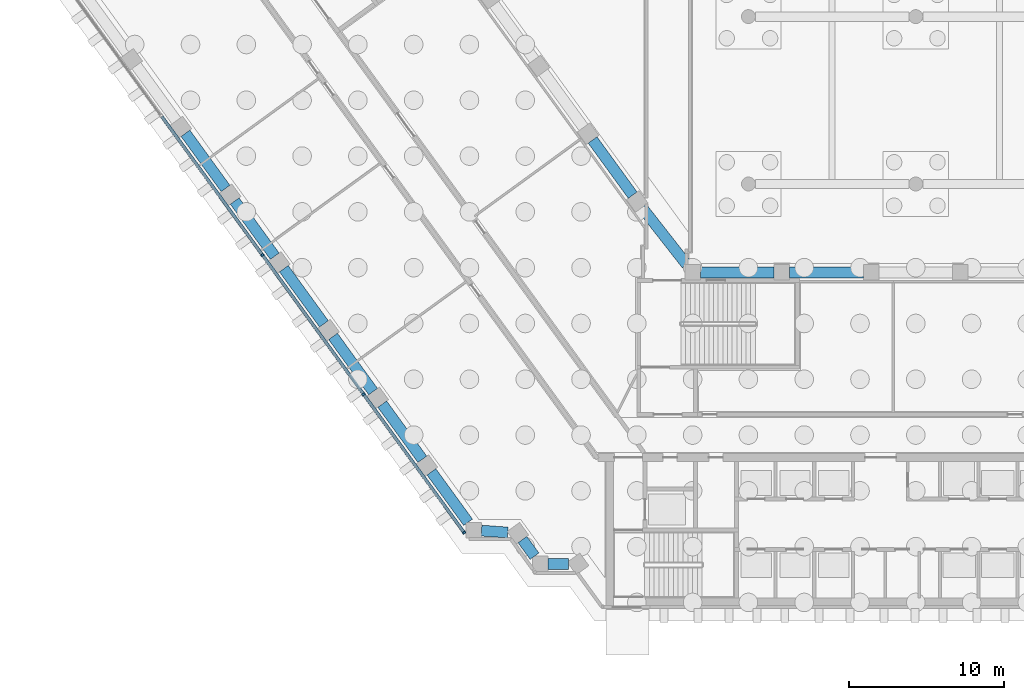
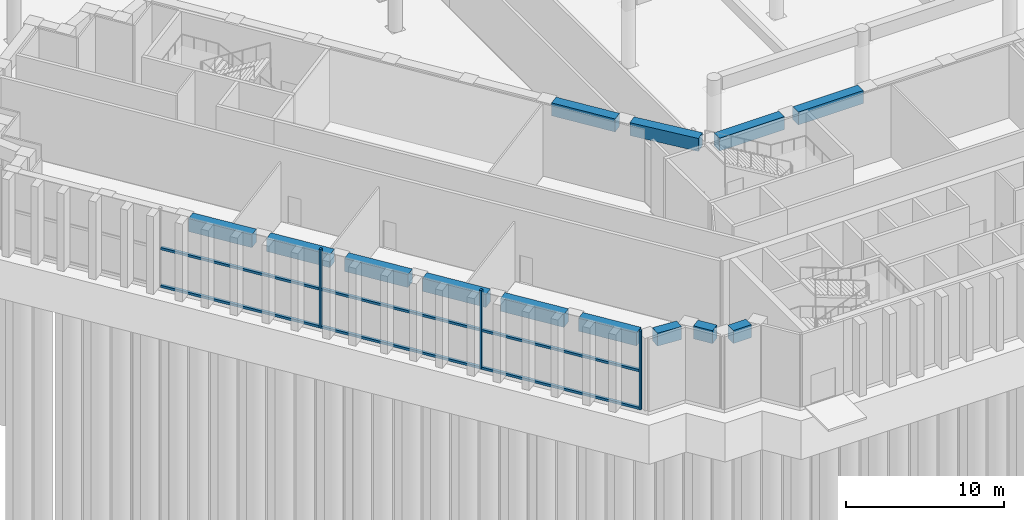
# One storey, part 4 of 32: 13 beams, 9 members, 1 element without a shape of its own.
"""IFC4 building model written with IfcOpenShell, lengths in metres."""

from ifc_helpers import new_model, si_unit, direction, frame, origin, origin_2d, place, context, subcontext, project, spatial, rectangle, extrude, material, material_profile, profile_set, type_object, element, aggregate, save


model = new_model("IFC4")

# Units and contexts
model_context = context("Model", 3, precision=1e-05, world=origin(), true_north=direction((0.0, 1.0)))
body_context = subcontext(model_context, "Body", "Model", "MODEL_VIEW")
ifc_project = project(units=[si_unit("LENGTHUNIT", "METRE"), si_unit("AREAUNIT", "SQUARE_METRE"), si_unit("VOLUMEUNIT", "CUBIC_METRE"), si_unit("PLANEANGLEUNIT", "RADIAN"), si_unit("MASSUNIT", "GRAM", prefix="KILO")], contexts=[model_context])

# Site, building, storey
site_placement = place(None, origin())
site = spatial("IfcSite", under=ifc_project, at=site_placement, CompositionType="ELEMENT")
building_placement = place(site_placement, origin())
building = spatial("IfcBuilding", under=site, at=building_placement, Name="Quipu Civic Tower", CompositionType="ELEMENT")
storey_placement = place(building_placement, origin())
storey = spatial("IfcBuildingStorey", under=building, at=storey_placement, Name="L00", CompositionType="ELEMENT", Elevation=0.0)

# Curtain wall, members
ifc_material_1 = material(Name="Insulated glass unit", Category="glass")
curtain_wall_type = type_object("IfcCurtainWallType", Name="Hall glazing CW2", PredefinedType="NOTDEFINED", material=ifc_material_1)
curtain_wall_placement = place(storey_placement, origin())
curtain_wall = element("IfcCurtainWall", 1, at=curtain_wall_placement, inside=storey, type_object=curtain_wall_type, Name="Hall glazing CW2 L00 run 35", PredefinedType="NOTDEFINED")
ifc_material_2 = material(Name="Anodised aluminium", Category="aluminium")
ifc_material_profile_1 = material_profile(ifc_material_2, rectangle(XDim=0.199951171875, YDim=0.139892578125, at=origin_2d()), Name="RECT 200x140")
ifc_profile_set_1 = profile_set([ifc_material_profile_1], Name="Anodised aluminium")
member_type_1 = type_object("IfcMemberType", Name="Mullion CW2", PredefinedType="MULLION", material=ifc_profile_set_1)
member_1_placement = place(storey_placement, frame((-42.162841796875, 11.619873046875, 0.0), z_axis=(0.0, 0.0, 1.0), x_axis=(0.809017581064, 0.587784444783, 0.0)))
member_1 = element("IfcMember", 2, at=member_1_placement, type_object=member_type_1, Name="CW2 mullion 3", PredefinedType="MULLION", context=body_context, shape_type="SweptSolid", body=[
    extrude(rectangle(XDim=0.199951171875, YDim=0.139892578125, at=origin_2d()), origin(), (0.0, 0.0, 1.0), 6.090087890625),
])
member_2_placement = place(storey_placement, frame((-35.63427734375, 2.63427734375, 0.0), z_axis=(0.0, 0.0, 1.0), x_axis=(0.809017581064, 0.587784444783, 0.0)))
member_2 = element("IfcMember", 3, at=member_2_placement, type_object=member_type_1, Name="CW2 mullion 4", PredefinedType="MULLION", context=body_context, shape_type="SweptSolid", body=[
    extrude(rectangle(XDim=0.199951171875, YDim=0.139892578125, at=origin_2d()), origin(), (0.0, 0.0, 1.0), 6.090087890625),
])
member_3_placement = place(storey_placement, frame((-29.14697265625, -6.294677734375, 0.0), z_axis=(0.0, 0.0, 1.0), x_axis=(0.809017581064, 0.587784444783, 0.0)))
member_3 = element("IfcMember", 4, at=member_3_placement, type_object=member_type_1, Name="CW2 mullion 5", PredefinedType="MULLION", context=body_context, shape_type="SweptSolid", body=[
    extrude(rectangle(XDim=0.199951171875, YDim=0.139892578125, at=origin_2d()), origin(), (0.0, 0.0, 1.0), 6.090087890625),
])

# Beams
ifc_material_3 = material(Name="Concrete C50/60", Category="concrete")
ifc_material_profile_2 = material_profile(ifc_material_3, rectangle(XDim=0.699951171875, YDim=1.0, at=origin_2d()), Name="RC700x1000")
ifc_profile_set_2 = profile_set([ifc_material_profile_2], Name="Concrete C50/60")
beam_type = type_object("IfcBeamType", Name="Spandrel beam RC 700x1000 C50/60", PredefinedType="SPANDREL", material=ifc_profile_set_2)
for number, where, z_axis, x_axis, name in (
    (5, (-18.267578125, 15.4794921875, 5.10009765625), (-0.587722908759, 0.809062285934, 0.0), (-0.809062285934, -0.587722908759, 0.0), "Spandrel beam L00 W-IN-01 to W-IN-02"),
    (6, (-47.12451171875, 19.47021484375, 5.10009765625), (0.587785613349, -0.809016732052, 0.0), (0.809016732052, 0.587785613349, 0.0), "Spandrel beam L00 W-OUT-06 to W-OUT-05"),
):
    element("IfcBeam", number, at=place(storey_placement, frame(where, z_axis=z_axis, x_axis=x_axis)), inside=storey, type_object=beam_type, Name=name, PredefinedType="SPANDREL", context=body_context, shape_type="SweptSolid", body=[
        extrude(rectangle(XDim=0.699951171875, YDim=1.0, at=origin_2d()), origin(), (0.0, 0.0, 1.0), 4.39990234375),
    ])
for number, where, z_axis, x_axis, name in (
    (7, (-43.950439453125, 15.101806640625, 5.10009765625), (0.587759228046, -0.809035901457, 0.0), (0.809035901457, 0.587759228046, 0.0), "Spandrel beam L00 W-OUT-05 to W-OUT-04"),
    (8, (-40.776611328125, 10.73291015625, 5.10009765625), (0.58779554378, -0.809009517072, 0.0), (0.809009517072, 0.58779554378, 0.0), "Spandrel beam L00 W-OUT-04 to W-OUT-03"),
    (9, (-37.602294921875, 6.3642578125, 5.10009765625), (0.587759228046, -0.809035901457, 0.0), (0.809035901457, 0.587759228046, 0.0), "Spandrel beam L00 W-OUT-03 to W-OUT-02"),
    (10, (-34.428466796875, 1.99560546875, 5.10009765625), (0.587759228046, -0.809035901457, 0.0), (0.809035901457, 0.587759228046, 0.0), "Spandrel beam L00 W-OUT-02 to W-OUT-01"),
):
    element("IfcBeam", number, at=place(storey_placement, frame(where, z_axis=z_axis, x_axis=x_axis)), inside=storey, type_object=beam_type, Name=name, PredefinedType="SPANDREL", context=body_context, shape_type="SweptSolid", body=[
        extrude(rectangle(XDim=0.699951171875, YDim=1.0, at=origin_2d()), origin(), (0.0, 0.0, 1.0), 4.400146484375),
    ])
beam_1_placement = place(storey_placement, frame((-31.25439453125, -2.373291015625, 5.10009765625), z_axis=(0.587811022966, -0.808998270258, 0.0), x_axis=(0.808998270258, 0.587811022966, 0.0)))
element("IfcBeam", 11, at=beam_1_placement, inside=storey, type_object=beam_type, Name="Spandrel beam L00 W-OUT-01 to J-Wo.0", PredefinedType="SPANDREL", context=body_context, shape_type="SweptSolid", body=[
    extrude(rectangle(XDim=0.699951171875, YDim=1.0, at=origin_2d()), origin(), (0.0, 0.0, 1.0), 4.025390625),
])
beam_2_placement = place(storey_placement, frame((-28.02490234375, -6.166259765625, 5.10009765625), z_axis=(0.99737429836, -0.072418982124, 0.0), x_axis=(0.072418982124, 0.99737429836, 0.0)))
element("IfcBeam", 12, at=beam_2_placement, inside=storey, type_object=beam_type, Name="Spandrel beam L00 J-Wo.0 to J-Wo.1", PredefinedType="SPANDREL", context=body_context, shape_type="SweptSolid", body=[
    extrude(rectangle(XDim=0.699951171875, YDim=1.0, at=origin_2d()), origin(), (0.0, 0.0, 1.0), 1.702392578125),
])
beam_3_placement = place(storey_placement, frame((-25.380126953125, -6.7412109375, 5.10009765625), z_axis=(0.588346597772, -0.808608855313, 0.0), x_axis=(0.808608855313, 0.588346597772, 0.0)))
element("IfcBeam", 13, at=beam_3_placement, inside=storey, type_object=beam_type, Name="Spandrel beam L00 J-Wo.1 to J-Wo.2", PredefinedType="SPANDREL", context=body_context, shape_type="SweptSolid", body=[
    extrude(rectangle(XDim=0.699951171875, YDim=1.0, at=origin_2d()), origin(), (0.0, 0.0, 1.0), 1.327880859375),
])
beam_4_placement = place(storey_placement, frame((-23.735107421875, -8.31494140625, 5.10009765625), z_axis=(1.0, 0.0, 0.0), x_axis=(0.0, 1.0, 0.0)))
element("IfcBeam", 14, at=beam_4_placement, inside=storey, type_object=beam_type, Name="Spandrel beam L00 J-Wo.2 to J-Wo.3", PredefinedType="SPANDREL", context=body_context, shape_type="SweptSolid", body=[
    extrude(rectangle(XDim=0.699951171875, YDim=1.0, at=origin_2d()), origin(), (0.0, 0.0, 1.0), 1.3251953125),
])
beam_5_placement = place(storey_placement, frame((-3.37890625, 10.5, 5.10009765625), z_axis=(-1.0, 0.0, 0.0), x_axis=(0.0, -1.0, 0.0)))
element("IfcBeam", 15, at=beam_5_placement, inside=storey, type_object=beam_type, Name="Spandrel beam L00 FRONT-03 to FRONT-04", PredefinedType="SPANDREL", context=body_context, shape_type="SweptSolid", body=[
    extrude(rectangle(XDim=0.699951171875, YDim=1.0, at=origin_2d()), origin(), (0.0, 0.0, 1.0), 4.75830078125),
])
beam_6_placement = place(storey_placement, frame((-9.13720703125, 10.5, 5.10009765625), z_axis=(-1.0, 0.0, 0.0), x_axis=(0.0, -1.0, 0.0)))
element("IfcBeam", 16, at=beam_6_placement, inside=storey, type_object=beam_type, Name="Spandrel beam L00 FRONT-04 to J-Wi.0", PredefinedType="SPANDREL", context=body_context, shape_type="SweptSolid", body=[
    extrude(rectangle(XDim=0.699951171875, YDim=1.0, at=origin_2d()), origin(), (0.0, 0.0, 1.0), 4.758056640625),
])
beam_7_placement = place(storey_placement, frame((-14.786376953125, 11.0, 5.10009765625), z_axis=(-0.616068753057, 0.787692383806, 0.0), x_axis=(-0.787692383806, -0.616068753057, 0.0)))
element("IfcBeam", 17, at=beam_7_placement, inside=storey, type_object=beam_type, Name="Spandrel beam L00 J-Wi.0 to W-IN-01", PredefinedType="SPANDREL", context=body_context, shape_type="SweptSolid", body=[
    extrude(rectangle(XDim=0.699951171875, YDim=1.0, at=origin_2d()), origin(), (0.0, 0.0, 1.0), 4.673095703125),
])

# Member
ifc_material_4 = material(Name="Anodised aluminium", Category="aluminium")
ifc_material_profile_3 = material_profile(ifc_material_4, rectangle(XDim=0.199951171875, YDim=0.179931640625, at=origin_2d()), Name="RECT 200x180")
ifc_profile_set_3 = profile_set([ifc_material_profile_3], Name="Anodised aluminium")
member_type_2 = type_object("IfcMemberType", Name="Transom CW2", PredefinedType="USERDEFINED", material=ifc_profile_set_3)
member_4_placement = place(storey_placement, frame((-48.650146484375, 20.548828125, 0.090087890625), z_axis=(0.587795713653, -0.809009393648, 0.0), x_axis=(0.809009393648, 0.587795713653, 0.0)))
member_4 = element("IfcMember", 18, at=member_4_placement, type_object=member_type_2, Name="CW2 transom 2.1", ObjectType="TRANSOM", PredefinedType="USERDEFINED", context=body_context, shape_type="SweptSolid", body=[
    extrude(rectangle(XDim=0.199951171875, YDim=0.179931640625, at=origin_2d()), origin(), (0.0, 0.0, 1.0), 10.966796875),
])

member_5_placement = place(storey_placement, frame((-48.650146484375, 20.548828125, 3.0), z_axis=(0.587795713653, -0.809009393648, 0.0), x_axis=(0.809009393648, 0.587795713653, 0.0)))
member_5 = element("IfcMember", 19, at=member_5_placement, type_object=member_type_2, Name="CW2 transom 2.2", ObjectType="TRANSOM", PredefinedType="USERDEFINED", context=body_context, shape_type="SweptSolid", body=[
    extrude(rectangle(XDim=0.199951171875, YDim=0.179931640625, at=origin_2d()), origin(), (0.0, 0.0, 1.0), 10.966796875),
])

member_6_placement = place(storey_placement, frame((-42.12158203125, 11.563232421875, 0.090087890625), z_axis=(0.587781143224, -0.809019979772, 0.0), x_axis=(0.809019979772, 0.587781143224, 0.0)))
member_6 = element("IfcMember", 20, at=member_6_placement, type_object=member_type_2, Name="CW2 transom 3.1", ObjectType="TRANSOM", PredefinedType="USERDEFINED", context=body_context, shape_type="SweptSolid", body=[
    extrude(rectangle(XDim=0.199951171875, YDim=0.179931640625, at=origin_2d()), origin(), (0.0, 0.0, 1.0), 10.966796875),
])

member_7_placement = place(storey_placement, frame((-42.12158203125, 11.563232421875, 3.0), z_axis=(0.587781143224, -0.809019979772, 0.0), x_axis=(0.809019979772, 0.587781143224, 0.0)))
member_7 = element("IfcMember", 21, at=member_7_placement, type_object=member_type_2, Name="CW2 transom 3.2", ObjectType="TRANSOM", PredefinedType="USERDEFINED", context=body_context, shape_type="SweptSolid", body=[
    extrude(rectangle(XDim=0.199951171875, YDim=0.179931640625, at=origin_2d()), origin(), (0.0, 0.0, 1.0), 10.966796875),
])

member_8_placement = place(storey_placement, frame((-35.59326171875, 2.57763671875, 0.090087890625), z_axis=(0.587789297473, -0.809014055364, 0.0), x_axis=(0.809014055364, 0.587789297473, 0.0)))
member_8 = element("IfcMember", 22, at=member_8_placement, type_object=member_type_2, Name="CW2 transom 4.1", ObjectType="TRANSOM", PredefinedType="USERDEFINED", context=body_context, shape_type="SweptSolid", body=[
    extrude(rectangle(XDim=0.199951171875, YDim=0.179931640625, at=origin_2d()), origin(), (0.0, 0.0, 1.0), 10.896728515625),
])

member_9_placement = place(storey_placement, frame((-35.59326171875, 2.57763671875, 3.0), z_axis=(0.587789297473, -0.809014055364, 0.0), x_axis=(0.809014055364, 0.587789297473, 0.0)))
member_9 = element("IfcMember", 23, at=member_9_placement, type_object=member_type_2, Name="CW2 transom 4.2", ObjectType="TRANSOM", PredefinedType="USERDEFINED", context=body_context, shape_type="SweptSolid", body=[
    extrude(rectangle(XDim=0.199951171875, YDim=0.179931640625, at=origin_2d()), origin(), (0.0, 0.0, 1.0), 10.896728515625),
])

aggregate(curtain_wall, [member_1, member_2, member_3, member_4, member_5, member_6, member_7, member_8, member_9])

save(model, "model.ifc")
